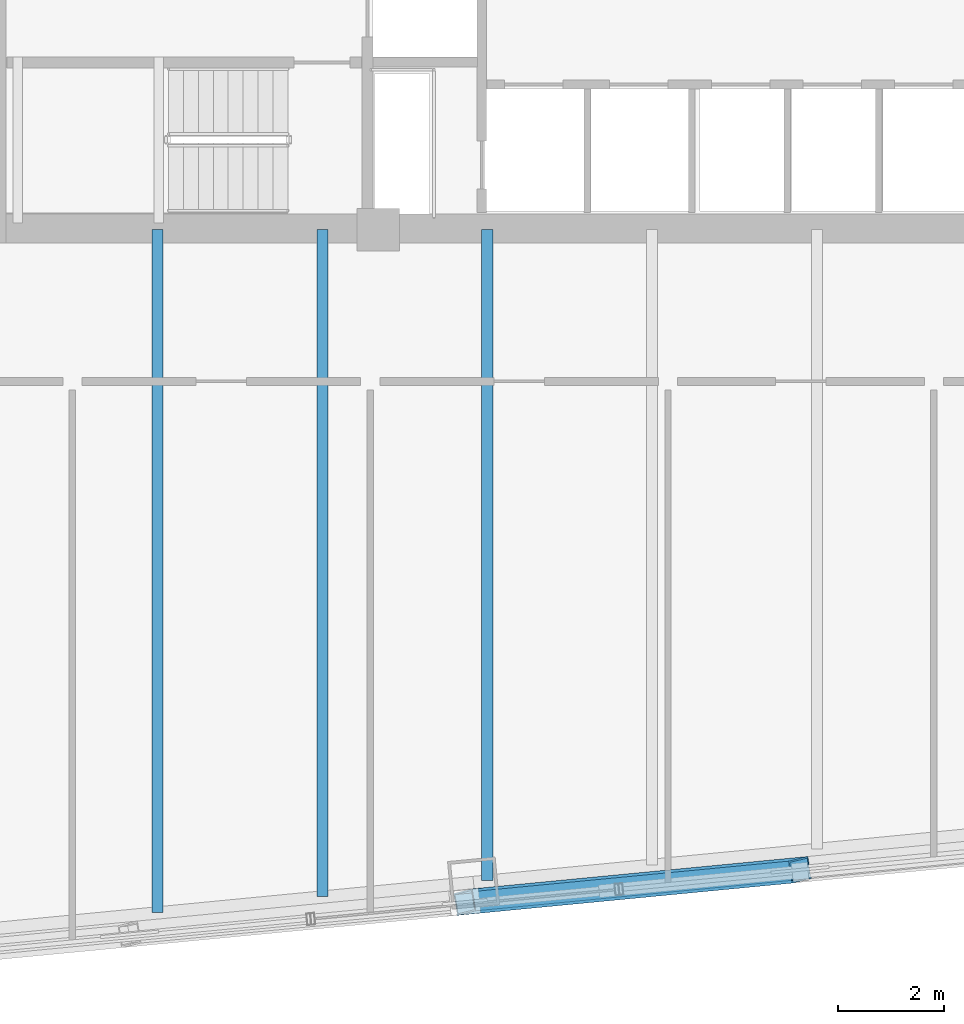
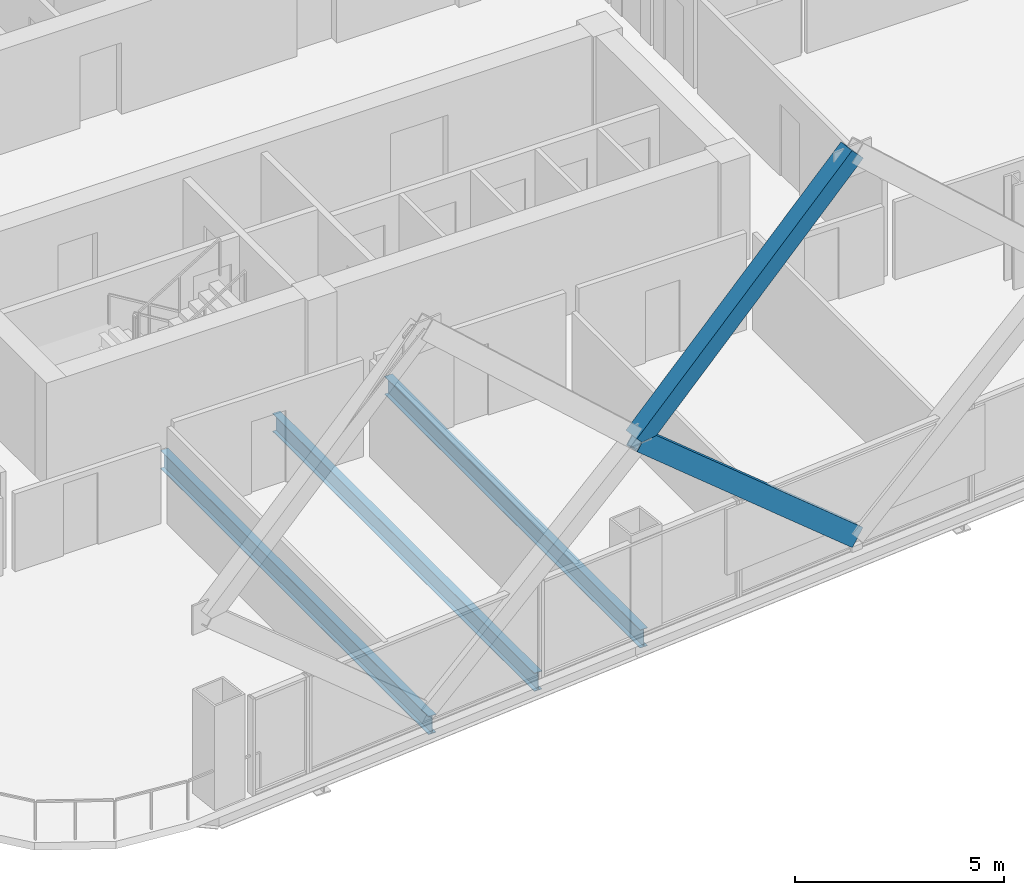
# One storey, part 6 of 32: 3 beams, 2 members.
"""IFC4 building model written with IfcOpenShell, lengths in metres."""

from ifc_helpers import new_model, si_unit, direction, frame, origin, origin_2d, place, context, subcontext, project, spatial, hollow_rectangle, i_section, extrude, material, material_profile, profile_set, type_object, element, save


model = new_model("IFC4")

# Units and contexts
model_context = context("Model", 3, precision=1e-05, world=origin(), true_north=direction((0.0, 1.0)))
body_context = subcontext(model_context, "Body", "Model", "MODEL_VIEW")
ifc_project = project(units=[si_unit("LENGTHUNIT", "METRE"), si_unit("AREAUNIT", "SQUARE_METRE"), si_unit("VOLUMEUNIT", "CUBIC_METRE"), si_unit("PLANEANGLEUNIT", "RADIAN"), si_unit("MASSUNIT", "GRAM", prefix="KILO")], contexts=[model_context])

# Site, building, storey
site_placement = place(None, origin())
site = spatial("IfcSite", under=ifc_project, at=site_placement, CompositionType="ELEMENT")
building_placement = place(site_placement, origin())
building = spatial("IfcBuilding", under=site, at=building_placement, Name="Qhalaya Broadcast Tower", CompositionType="ELEMENT")
storey_placement = place(building_placement, frame((0.0, 0.0, 81.64990234375)))
storey = spatial("IfcBuildingStorey", under=building, at=storey_placement, Name="L23", CompositionType="ELEMENT", Elevation=81.64990234375)

# Beams
ifc_material_1 = material(Name="Structural Steel ASTM A992 Grade 50", Category="steel")
ifc_material_profile_1 = material_profile(ifc_material_1, i_section(OverallWidth=0.2099609375, OverallDepth=0.535888671875, WebThickness=0.010986328125, FlangeThickness=0.017333984375, at=origin_2d()), Name="W21X68")
ifc_profile_set_1 = profile_set([ifc_material_profile_1], Name="Structural Steel ASTM A992 Grade 50")
beam_type = type_object("IfcBeamType", Name="Composite Floor Joist J02", PredefinedType="JOIST", material=ifc_profile_set_1)
beam_1_placement = place(storey_placement, frame((-6.199951171875, -21.589111328125, -0.48779296875), z_axis=(0.0, 1.0, 0.0), x_axis=(-1.0, 0.0, 0.0)))
element("IfcBeam", 1, at=beam_1_placement, inside=storey, type_object=beam_type, Name="L23 J02 L23-JNS1-1", PredefinedType="JOIST", context=body_context, shape_type="SweptSolid", body=[
    extrude(i_section(OverallWidth=0.2099609375, OverallDepth=0.535888671875, WebThickness=0.010986328125, FlangeThickness=0.017333984375, at=origin_2d()), origin(), (0.0, 0.0, 1.0), 12.839111328125),
])
beam_2_placement = place(storey_placement, frame((-3.10009765625, -21.290771484375, -0.48779296875), z_axis=(0.0, 1.0, 0.0), x_axis=(-1.0, 0.0, 0.0)))
element("IfcBeam", 2, at=beam_2_placement, inside=storey, type_object=beam_type, Name="L23 J02 L23-JNS2-1", PredefinedType="JOIST", context=body_context, shape_type="SweptSolid", body=[
    extrude(i_section(OverallWidth=0.2099609375, OverallDepth=0.535888671875, WebThickness=0.010986328125, FlangeThickness=0.017333984375, at=origin_2d()), origin(), (0.0, 0.0, 1.0), 12.540771484375),
])
beam_3_placement = place(storey_placement, frame((0.0, -20.9921875, -0.48779296875), z_axis=(0.0, 1.0, 0.0), x_axis=(-1.0, 0.0, 0.0)))
element("IfcBeam", 3, at=beam_3_placement, inside=storey, type_object=beam_type, Name="L23 J02 L23-JNS3-1", PredefinedType="JOIST", context=body_context, shape_type="SweptSolid", body=[
    extrude(i_section(OverallWidth=0.2099609375, OverallDepth=0.535888671875, WebThickness=0.010986328125, FlangeThickness=0.017333984375, at=origin_2d()), origin(), (0.0, 0.0, 1.0), 12.2421875),
])

# Members
ifc_material_2 = material(Name="Structural Steel ASTM A572 Grade 50", Category="steel")
ifc_material_profile_2 = material_profile(ifc_material_2, hollow_rectangle(XDim=0.419921875, YDim=0.550048828125, WallThickness=0.028076171875, at=origin_2d()), Name="BOX 420x550x28")
ifc_profile_set_2 = profile_set([ifc_material_profile_2], Name="Structural Steel ASTM A572 Grade 50")
member_type = type_object("IfcMemberType", Name="Exoskeleton Diamond Diagonal Mid-Low EX2", PredefinedType="BRACE", material=ifc_profile_set_2)
member_1_placement = place(storey_placement, frame((5.882568359375, -20.78759765625, 0.360107421875), z_axis=(-0.758637209183, -0.073037413912, 0.647406457345), x_axis=(0.157155783857, -0.98486851796, 0.073048353381)))
element("IfcMember", 4, at=member_1_placement, inside=storey, type_object=member_type, Name="B2 Exoskeleton Diamond Brace S2-D1", PredefinedType="BRACE", context=body_context, shape_type="SweptSolid", body=[
    extrude(hollow_rectangle(XDim=0.419921875, YDim=0.550048828125, WallThickness=0.028076171875, at=origin_2d()), origin(), (0.0, 0.0, 1.0), 8.309814453125),
])
member_2_placement = place(storey_placement, frame((-0.421630859375, -21.39453125, 5.739990234375), z_axis=(0.730619555004, 0.070340028415, 0.679151931638), x_axis=(-0.160184449091, 0.984576934745, 0.070350563873)))
element("IfcMember", 5, at=member_2_placement, inside=storey, type_object=member_type, Name="B2 Exoskeleton Diamond Brace S2-D3", PredefinedType="BRACE", context=body_context, shape_type="SweptSolid", body=[
    extrude(hollow_rectangle(XDim=0.419921875, YDim=0.550048828125, WallThickness=0.028076171875, at=origin_2d()), origin(), (0.0, 0.0, 1.0), 8.628662109375),
])

save(model, "model.ifc")
